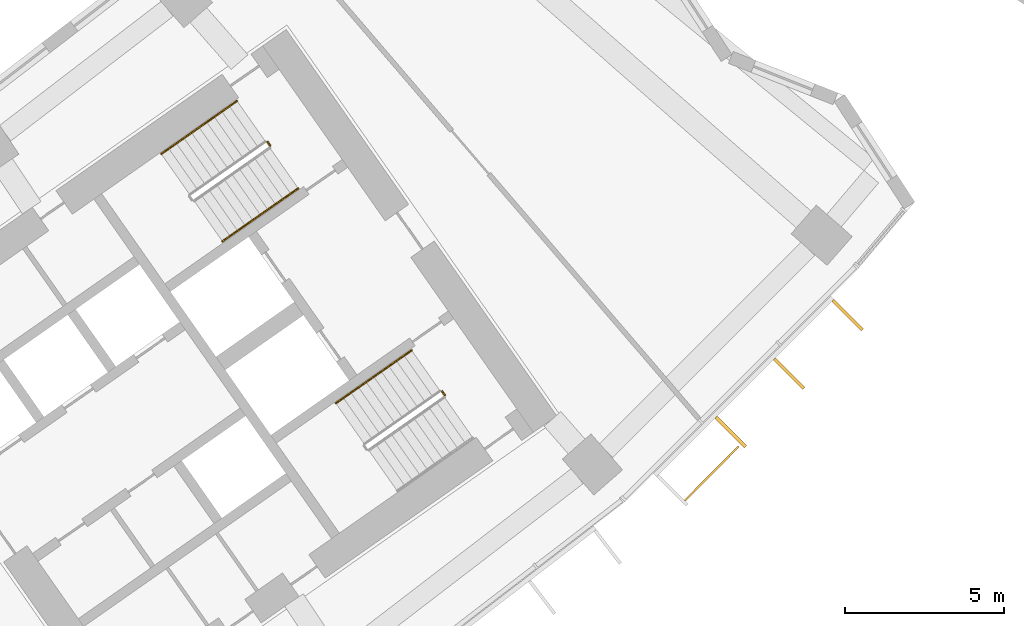
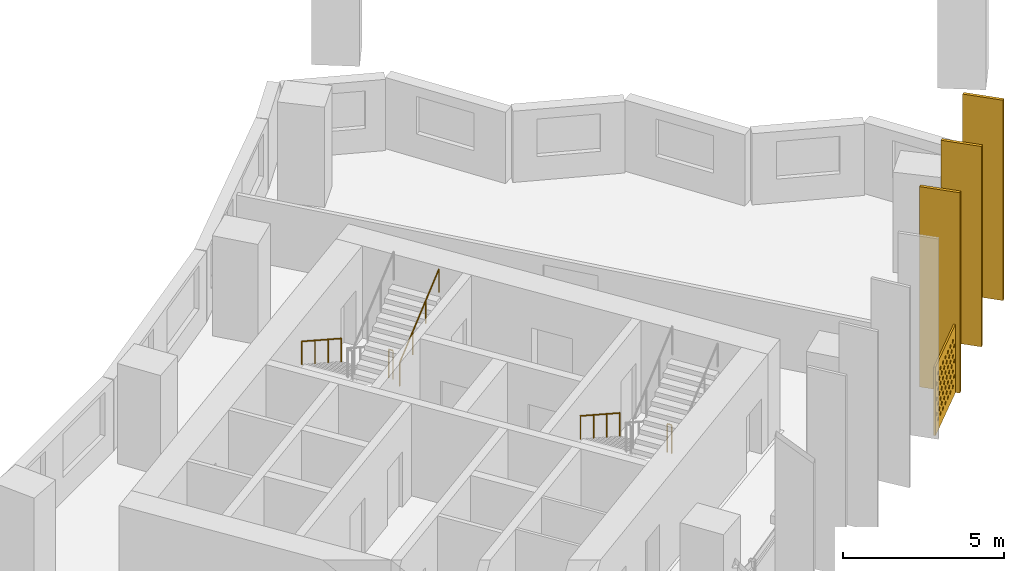
# One storey, part 30 of 30: 5 railings, 4 shading devices.
"""IFC4 building model written with IfcOpenShell, lengths in metres."""

from ifc_helpers import new_model, si_unit, direction, frame, origin, origin_2d, place, context, subcontext, project, spatial, polyline, rectangle, circle, outline, extrude, material, material_profile, profile_set, type_object, element, save


model = new_model("IFC4")

# Units and contexts
model_context = context("Model", 3, precision=1e-05, world=origin(), true_north=direction((0.0, 1.0)))
body_context = subcontext(model_context, "Body", "Model", "MODEL_VIEW")
ifc_project = project(units=[si_unit("LENGTHUNIT", "METRE"), si_unit("AREAUNIT", "SQUARE_METRE"), si_unit("VOLUMEUNIT", "CUBIC_METRE"), si_unit("PLANEANGLEUNIT", "RADIAN"), si_unit("MASSUNIT", "GRAM", prefix="KILO")], contexts=[model_context])

# Site, building, storey
site_placement = place(None, origin())
site = spatial("IfcSite", under=ifc_project, at=site_placement, CompositionType="ELEMENT")
building_placement = place(site_placement, origin())
building = spatial("IfcBuilding", under=site, at=building_placement, Name="Qamariyya Broadcast Tower", CompositionType="ELEMENT")
storey_placement = place(building_placement, frame((0.0, 0.0, 117.699951171875)))
storey = spatial("IfcBuildingStorey", under=building, at=storey_placement, Name="L26", CompositionType="ELEMENT", Elevation=117.699951171875)

# Shading device
ifc_material_1 = material(Name="Perforated glazed terracotta", Category="masonry")
ifc_material_profile_1 = material_profile(ifc_material_1, outline(polyline([(-1.199951171875, -1.300048828125), (1.199951171875, -1.300048828125), (1.199951171875, 1.300048828125), (-1.199951171875, 1.300048828125), (-1.199951171875, -1.300048828125)]), holes=[polyline([(-0.81494140625, -0.86669921875), (-0.89990234375, -0.78173828125), (-0.985107421875, -0.86669921875), (-0.89990234375, -0.95166015625), (-0.81494140625, -0.86669921875)]), polyline([(-0.514892578125, -0.86669921875), (-0.60009765625, -0.78173828125), (-0.68505859375, -0.86669921875), (-0.60009765625, -0.95166015625), (-0.514892578125, -0.86669921875)]), polyline([(-0.215087890625, -0.86669921875), (-0.300048828125, -0.78173828125), (-0.385009765625, -0.86669921875), (-0.300048828125, -0.95166015625), (-0.215087890625, -0.86669921875)]), polyline([(0.0849609375, -0.86669921875), (0.0, -0.78173828125), (-0.0849609375, -0.86669921875), (0.0, -0.95166015625), (0.0849609375, -0.86669921875)]), polyline([(0.385009765625, -0.86669921875), (0.300048828125, -0.78173828125), (0.215087890625, -0.86669921875), (0.300048828125, -0.95166015625), (0.385009765625, -0.86669921875)]), polyline([(0.68505859375, -0.86669921875), (0.60009765625, -0.78173828125), (0.514892578125, -0.86669921875), (0.60009765625, -0.95166015625), (0.68505859375, -0.86669921875)]), polyline([(0.985107421875, -0.86669921875), (0.89990234375, -0.78173828125), (0.81494140625, -0.86669921875), (0.89990234375, -0.95166015625), (0.985107421875, -0.86669921875)]), polyline([(-0.965087890625, -0.577880859375), (-1.050048828125, -0.49267578125), (-1.135009765625, -0.577880859375), (-1.050048828125, -0.662841796875), (-0.965087890625, -0.577880859375)]), polyline([(-0.6650390625, -0.577880859375), (-0.75, -0.49267578125), (-0.8349609375, -0.577880859375), (-0.75, -0.662841796875), (-0.6650390625, -0.577880859375)]), polyline([(-0.364990234375, -0.577880859375), (-0.449951171875, -0.49267578125), (-0.534912109375, -0.577880859375), (-0.449951171875, -0.662841796875), (-0.364990234375, -0.577880859375)]), polyline([(-0.06494140625, -0.577880859375), (-0.14990234375, -0.49267578125), (-0.235107421875, -0.577880859375), (-0.14990234375, -0.662841796875), (-0.06494140625, -0.577880859375)]), polyline([(0.235107421875, -0.577880859375), (0.14990234375, -0.49267578125), (0.06494140625, -0.577880859375), (0.14990234375, -0.662841796875), (0.235107421875, -0.577880859375)]), polyline([(0.534912109375, -0.577880859375), (0.449951171875, -0.49267578125), (0.364990234375, -0.577880859375), (0.449951171875, -0.662841796875), (0.534912109375, -0.577880859375)]), polyline([(0.8349609375, -0.577880859375), (0.75, -0.49267578125), (0.6650390625, -0.577880859375), (0.75, -0.662841796875), (0.8349609375, -0.577880859375)]), polyline([(1.135009765625, -0.577880859375), (1.050048828125, -0.49267578125), (0.965087890625, -0.577880859375), (1.050048828125, -0.662841796875), (1.135009765625, -0.577880859375)]), polyline([(-0.81494140625, -0.288818359375), (-0.89990234375, -0.203857421875), (-0.985107421875, -0.288818359375), (-0.89990234375, -0.373779296875), (-0.81494140625, -0.288818359375)]), polyline([(-0.514892578125, -0.288818359375), (-0.60009765625, -0.203857421875), (-0.68505859375, -0.288818359375), (-0.60009765625, -0.373779296875), (-0.514892578125, -0.288818359375)]), polyline([(-0.215087890625, -0.288818359375), (-0.300048828125, -0.203857421875), (-0.385009765625, -0.288818359375), (-0.300048828125, -0.373779296875), (-0.215087890625, -0.288818359375)]), polyline([(0.0849609375, -0.288818359375), (0.0, -0.203857421875), (-0.0849609375, -0.288818359375), (0.0, -0.373779296875), (0.0849609375, -0.288818359375)]), polyline([(0.385009765625, -0.288818359375), (0.300048828125, -0.203857421875), (0.215087890625, -0.288818359375), (0.300048828125, -0.373779296875), (0.385009765625, -0.288818359375)]), polyline([(0.68505859375, -0.288818359375), (0.60009765625, -0.203857421875), (0.514892578125, -0.288818359375), (0.60009765625, -0.373779296875), (0.68505859375, -0.288818359375)]), polyline([(0.985107421875, -0.288818359375), (0.89990234375, -0.203857421875), (0.81494140625, -0.288818359375), (0.89990234375, -0.373779296875), (0.985107421875, -0.288818359375)]), polyline([(-0.965087890625, 0.0), (-1.050048828125, 0.0849609375), (-1.135009765625, 0.0), (-1.050048828125, -0.0849609375), (-0.965087890625, 0.0)]), polyline([(-0.6650390625, 0.0), (-0.75, 0.0849609375), (-0.8349609375, 0.0), (-0.75, -0.0849609375), (-0.6650390625, 0.0)]), polyline([(-0.364990234375, 0.0), (-0.449951171875, 0.0849609375), (-0.534912109375, 0.0), (-0.449951171875, -0.0849609375), (-0.364990234375, 0.0)]), polyline([(-0.06494140625, 0.0), (-0.14990234375, 0.0849609375), (-0.235107421875, 0.0), (-0.14990234375, -0.0849609375), (-0.06494140625, 0.0)]), polyline([(0.235107421875, 0.0), (0.14990234375, 0.0849609375), (0.06494140625, 0.0), (0.14990234375, -0.0849609375), (0.235107421875, 0.0)]), polyline([(0.534912109375, 0.0), (0.449951171875, 0.0849609375), (0.364990234375, 0.0), (0.449951171875, -0.0849609375), (0.534912109375, 0.0)]), polyline([(0.8349609375, 0.0), (0.75, 0.0849609375), (0.6650390625, 0.0), (0.75, -0.0849609375), (0.8349609375, 0.0)]), polyline([(1.135009765625, 0.0), (1.050048828125, 0.0849609375), (0.965087890625, 0.0), (1.050048828125, -0.0849609375), (1.135009765625, 0.0)]), polyline([(-0.81494140625, 0.288818359375), (-0.89990234375, 0.373779296875), (-0.985107421875, 0.288818359375), (-0.89990234375, 0.203857421875), (-0.81494140625, 0.288818359375)]), polyline([(-0.514892578125, 0.288818359375), (-0.60009765625, 0.373779296875), (-0.68505859375, 0.288818359375), (-0.60009765625, 0.203857421875), (-0.514892578125, 0.288818359375)]), polyline([(-0.215087890625, 0.288818359375), (-0.300048828125, 0.373779296875), (-0.385009765625, 0.288818359375), (-0.300048828125, 0.203857421875), (-0.215087890625, 0.288818359375)]), polyline([(0.0849609375, 0.288818359375), (0.0, 0.373779296875), (-0.0849609375, 0.288818359375), (0.0, 0.203857421875), (0.0849609375, 0.288818359375)]), polyline([(0.385009765625, 0.288818359375), (0.300048828125, 0.373779296875), (0.215087890625, 0.288818359375), (0.300048828125, 0.203857421875), (0.385009765625, 0.288818359375)]), polyline([(0.68505859375, 0.288818359375), (0.60009765625, 0.373779296875), (0.514892578125, 0.288818359375), (0.60009765625, 0.203857421875), (0.68505859375, 0.288818359375)]), polyline([(0.985107421875, 0.288818359375), (0.89990234375, 0.373779296875), (0.81494140625, 0.288818359375), (0.89990234375, 0.203857421875), (0.985107421875, 0.288818359375)]), polyline([(-0.965087890625, 0.577880859375), (-1.050048828125, 0.662841796875), (-1.135009765625, 0.577880859375), (-1.050048828125, 0.49267578125), (-0.965087890625, 0.577880859375)]), polyline([(-0.6650390625, 0.577880859375), (-0.75, 0.662841796875), (-0.8349609375, 0.577880859375), (-0.75, 0.49267578125), (-0.6650390625, 0.577880859375)]), polyline([(-0.364990234375, 0.577880859375), (-0.449951171875, 0.662841796875), (-0.534912109375, 0.577880859375), (-0.449951171875, 0.49267578125), (-0.364990234375, 0.577880859375)]), polyline([(-0.06494140625, 0.577880859375), (-0.14990234375, 0.662841796875), (-0.235107421875, 0.577880859375), (-0.14990234375, 0.49267578125), (-0.06494140625, 0.577880859375)]), polyline([(0.235107421875, 0.577880859375), (0.14990234375, 0.662841796875), (0.06494140625, 0.577880859375), (0.14990234375, 0.49267578125), (0.235107421875, 0.577880859375)]), polyline([(0.534912109375, 0.577880859375), (0.449951171875, 0.662841796875), (0.364990234375, 0.577880859375), (0.449951171875, 0.49267578125), (0.534912109375, 0.577880859375)]), polyline([(0.8349609375, 0.577880859375), (0.75, 0.662841796875), (0.6650390625, 0.577880859375), (0.75, 0.49267578125), (0.8349609375, 0.577880859375)]), polyline([(1.135009765625, 0.577880859375), (1.050048828125, 0.662841796875), (0.965087890625, 0.577880859375), (1.050048828125, 0.49267578125), (1.135009765625, 0.577880859375)]), polyline([(-0.81494140625, 0.86669921875), (-0.89990234375, 0.95166015625), (-0.985107421875, 0.86669921875), (-0.89990234375, 0.78173828125), (-0.81494140625, 0.86669921875)]), polyline([(-0.514892578125, 0.86669921875), (-0.60009765625, 0.95166015625), (-0.68505859375, 0.86669921875), (-0.60009765625, 0.78173828125), (-0.514892578125, 0.86669921875)]), polyline([(-0.215087890625, 0.86669921875), (-0.300048828125, 0.95166015625), (-0.385009765625, 0.86669921875), (-0.300048828125, 0.78173828125), (-0.215087890625, 0.86669921875)]), polyline([(0.0849609375, 0.86669921875), (0.0, 0.95166015625), (-0.0849609375, 0.86669921875), (0.0, 0.78173828125), (0.0849609375, 0.86669921875)]), polyline([(0.385009765625, 0.86669921875), (0.300048828125, 0.95166015625), (0.215087890625, 0.86669921875), (0.300048828125, 0.78173828125), (0.385009765625, 0.86669921875)]), polyline([(0.68505859375, 0.86669921875), (0.60009765625, 0.95166015625), (0.514892578125, 0.86669921875), (0.60009765625, 0.78173828125), (0.68505859375, 0.86669921875)]), polyline([(0.985107421875, 0.86669921875), (0.89990234375, 0.95166015625), (0.81494140625, 0.86669921875), (0.89990234375, 0.78173828125), (0.985107421875, 0.86669921875)])]))
ifc_profile_set_1 = profile_set([ifc_material_profile_1], Name="Perforated glazed terracotta")
shading_device_type_1 = type_object("IfcShadingDeviceType", Name="Perforated terracotta screen 2400 x 2600", PredefinedType="USERDEFINED", material=ifc_profile_set_1)
shading_device_placement = place(storey_placement, frame((54.98486328125, -58.71826171875, 1.35009765625), z_axis=(0.709141608176, -0.705066081692, 0.0), x_axis=(0.705066081692, 0.709141608176, 0.0)))
element("IfcShadingDevice", 1, at=shading_device_placement, inside=storey, type_object=shading_device_type_1, Name="e-scr-L26-15-0", ObjectType="SCREEN", PredefinedType="USERDEFINED", context=body_context, shape_type="SweptSolid", body=[
    extrude(outline(polyline([(-1.199951171875, -1.300048828125), (1.199951171875, -1.300048828125), (1.199951171875, 1.300048828125), (-1.199951171875, 1.300048828125), (-1.199951171875, -1.300048828125)]), holes=[polyline([(-0.81494140625, -0.86669921875), (-0.89990234375, -0.78173828125), (-0.985107421875, -0.86669921875), (-0.89990234375, -0.95166015625), (-0.81494140625, -0.86669921875)]), polyline([(-0.514892578125, -0.86669921875), (-0.60009765625, -0.78173828125), (-0.68505859375, -0.86669921875), (-0.60009765625, -0.95166015625), (-0.514892578125, -0.86669921875)]), polyline([(-0.215087890625, -0.86669921875), (-0.300048828125, -0.78173828125), (-0.385009765625, -0.86669921875), (-0.300048828125, -0.95166015625), (-0.215087890625, -0.86669921875)]), polyline([(0.0849609375, -0.86669921875), (0.0, -0.78173828125), (-0.0849609375, -0.86669921875), (0.0, -0.95166015625), (0.0849609375, -0.86669921875)]), polyline([(0.385009765625, -0.86669921875), (0.300048828125, -0.78173828125), (0.215087890625, -0.86669921875), (0.300048828125, -0.95166015625), (0.385009765625, -0.86669921875)]), polyline([(0.68505859375, -0.86669921875), (0.60009765625, -0.78173828125), (0.514892578125, -0.86669921875), (0.60009765625, -0.95166015625), (0.68505859375, -0.86669921875)]), polyline([(0.985107421875, -0.86669921875), (0.89990234375, -0.78173828125), (0.81494140625, -0.86669921875), (0.89990234375, -0.95166015625), (0.985107421875, -0.86669921875)]), polyline([(-0.965087890625, -0.577880859375), (-1.050048828125, -0.49267578125), (-1.135009765625, -0.577880859375), (-1.050048828125, -0.662841796875), (-0.965087890625, -0.577880859375)]), polyline([(-0.6650390625, -0.577880859375), (-0.75, -0.49267578125), (-0.8349609375, -0.577880859375), (-0.75, -0.662841796875), (-0.6650390625, -0.577880859375)]), polyline([(-0.364990234375, -0.577880859375), (-0.449951171875, -0.49267578125), (-0.534912109375, -0.577880859375), (-0.449951171875, -0.662841796875), (-0.364990234375, -0.577880859375)]), polyline([(-0.06494140625, -0.577880859375), (-0.14990234375, -0.49267578125), (-0.235107421875, -0.577880859375), (-0.14990234375, -0.662841796875), (-0.06494140625, -0.577880859375)]), polyline([(0.235107421875, -0.577880859375), (0.14990234375, -0.49267578125), (0.06494140625, -0.577880859375), (0.14990234375, -0.662841796875), (0.235107421875, -0.577880859375)]), polyline([(0.534912109375, -0.577880859375), (0.449951171875, -0.49267578125), (0.364990234375, -0.577880859375), (0.449951171875, -0.662841796875), (0.534912109375, -0.577880859375)]), polyline([(0.8349609375, -0.577880859375), (0.75, -0.49267578125), (0.6650390625, -0.577880859375), (0.75, -0.662841796875), (0.8349609375, -0.577880859375)]), polyline([(1.135009765625, -0.577880859375), (1.050048828125, -0.49267578125), (0.965087890625, -0.577880859375), (1.050048828125, -0.662841796875), (1.135009765625, -0.577880859375)]), polyline([(-0.81494140625, -0.288818359375), (-0.89990234375, -0.203857421875), (-0.985107421875, -0.288818359375), (-0.89990234375, -0.373779296875), (-0.81494140625, -0.288818359375)]), polyline([(-0.514892578125, -0.288818359375), (-0.60009765625, -0.203857421875), (-0.68505859375, -0.288818359375), (-0.60009765625, -0.373779296875), (-0.514892578125, -0.288818359375)]), polyline([(-0.215087890625, -0.288818359375), (-0.300048828125, -0.203857421875), (-0.385009765625, -0.288818359375), (-0.300048828125, -0.373779296875), (-0.215087890625, -0.288818359375)]), polyline([(0.0849609375, -0.288818359375), (0.0, -0.203857421875), (-0.0849609375, -0.288818359375), (0.0, -0.373779296875), (0.0849609375, -0.288818359375)]), polyline([(0.385009765625, -0.288818359375), (0.300048828125, -0.203857421875), (0.215087890625, -0.288818359375), (0.300048828125, -0.373779296875), (0.385009765625, -0.288818359375)]), polyline([(0.68505859375, -0.288818359375), (0.60009765625, -0.203857421875), (0.514892578125, -0.288818359375), (0.60009765625, -0.373779296875), (0.68505859375, -0.288818359375)]), polyline([(0.985107421875, -0.288818359375), (0.89990234375, -0.203857421875), (0.81494140625, -0.288818359375), (0.89990234375, -0.373779296875), (0.985107421875, -0.288818359375)]), polyline([(-0.965087890625, 0.0), (-1.050048828125, 0.0849609375), (-1.135009765625, 0.0), (-1.050048828125, -0.0849609375), (-0.965087890625, 0.0)]), polyline([(-0.6650390625, 0.0), (-0.75, 0.0849609375), (-0.8349609375, 0.0), (-0.75, -0.0849609375), (-0.6650390625, 0.0)]), polyline([(-0.364990234375, 0.0), (-0.449951171875, 0.0849609375), (-0.534912109375, 0.0), (-0.449951171875, -0.0849609375), (-0.364990234375, 0.0)]), polyline([(-0.06494140625, 0.0), (-0.14990234375, 0.0849609375), (-0.235107421875, 0.0), (-0.14990234375, -0.0849609375), (-0.06494140625, 0.0)]), polyline([(0.235107421875, 0.0), (0.14990234375, 0.0849609375), (0.06494140625, 0.0), (0.14990234375, -0.0849609375), (0.235107421875, 0.0)]), polyline([(0.534912109375, 0.0), (0.449951171875, 0.0849609375), (0.364990234375, 0.0), (0.449951171875, -0.0849609375), (0.534912109375, 0.0)]), polyline([(0.8349609375, 0.0), (0.75, 0.0849609375), (0.6650390625, 0.0), (0.75, -0.0849609375), (0.8349609375, 0.0)]), polyline([(1.135009765625, 0.0), (1.050048828125, 0.0849609375), (0.965087890625, 0.0), (1.050048828125, -0.0849609375), (1.135009765625, 0.0)]), polyline([(-0.81494140625, 0.288818359375), (-0.89990234375, 0.373779296875), (-0.985107421875, 0.288818359375), (-0.89990234375, 0.203857421875), (-0.81494140625, 0.288818359375)]), polyline([(-0.514892578125, 0.288818359375), (-0.60009765625, 0.373779296875), (-0.68505859375, 0.288818359375), (-0.60009765625, 0.203857421875), (-0.514892578125, 0.288818359375)]), polyline([(-0.215087890625, 0.288818359375), (-0.300048828125, 0.373779296875), (-0.385009765625, 0.288818359375), (-0.300048828125, 0.203857421875), (-0.215087890625, 0.288818359375)]), polyline([(0.0849609375, 0.288818359375), (0.0, 0.373779296875), (-0.0849609375, 0.288818359375), (0.0, 0.203857421875), (0.0849609375, 0.288818359375)]), polyline([(0.385009765625, 0.288818359375), (0.300048828125, 0.373779296875), (0.215087890625, 0.288818359375), (0.300048828125, 0.203857421875), (0.385009765625, 0.288818359375)]), polyline([(0.68505859375, 0.288818359375), (0.60009765625, 0.373779296875), (0.514892578125, 0.288818359375), (0.60009765625, 0.203857421875), (0.68505859375, 0.288818359375)]), polyline([(0.985107421875, 0.288818359375), (0.89990234375, 0.373779296875), (0.81494140625, 0.288818359375), (0.89990234375, 0.203857421875), (0.985107421875, 0.288818359375)]), polyline([(-0.965087890625, 0.577880859375), (-1.050048828125, 0.662841796875), (-1.135009765625, 0.577880859375), (-1.050048828125, 0.49267578125), (-0.965087890625, 0.577880859375)]), polyline([(-0.6650390625, 0.577880859375), (-0.75, 0.662841796875), (-0.8349609375, 0.577880859375), (-0.75, 0.49267578125), (-0.6650390625, 0.577880859375)]), polyline([(-0.364990234375, 0.577880859375), (-0.449951171875, 0.662841796875), (-0.534912109375, 0.577880859375), (-0.449951171875, 0.49267578125), (-0.364990234375, 0.577880859375)]), polyline([(-0.06494140625, 0.577880859375), (-0.14990234375, 0.662841796875), (-0.235107421875, 0.577880859375), (-0.14990234375, 0.49267578125), (-0.06494140625, 0.577880859375)]), polyline([(0.235107421875, 0.577880859375), (0.14990234375, 0.662841796875), (0.06494140625, 0.577880859375), (0.14990234375, 0.49267578125), (0.235107421875, 0.577880859375)]), polyline([(0.534912109375, 0.577880859375), (0.449951171875, 0.662841796875), (0.364990234375, 0.577880859375), (0.449951171875, 0.49267578125), (0.534912109375, 0.577880859375)]), polyline([(0.8349609375, 0.577880859375), (0.75, 0.662841796875), (0.6650390625, 0.577880859375), (0.75, 0.49267578125), (0.8349609375, 0.577880859375)]), polyline([(1.135009765625, 0.577880859375), (1.050048828125, 0.662841796875), (0.965087890625, 0.577880859375), (1.050048828125, 0.49267578125), (1.135009765625, 0.577880859375)]), polyline([(-0.81494140625, 0.86669921875), (-0.89990234375, 0.95166015625), (-0.985107421875, 0.86669921875), (-0.89990234375, 0.78173828125), (-0.81494140625, 0.86669921875)]), polyline([(-0.514892578125, 0.86669921875), (-0.60009765625, 0.95166015625), (-0.68505859375, 0.86669921875), (-0.60009765625, 0.78173828125), (-0.514892578125, 0.86669921875)]), polyline([(-0.215087890625, 0.86669921875), (-0.300048828125, 0.95166015625), (-0.385009765625, 0.86669921875), (-0.300048828125, 0.78173828125), (-0.215087890625, 0.86669921875)]), polyline([(0.0849609375, 0.86669921875), (0.0, 0.95166015625), (-0.0849609375, 0.86669921875), (0.0, 0.78173828125), (0.0849609375, 0.86669921875)]), polyline([(0.385009765625, 0.86669921875), (0.300048828125, 0.95166015625), (0.215087890625, 0.86669921875), (0.300048828125, 0.78173828125), (0.385009765625, 0.86669921875)]), polyline([(0.68505859375, 0.86669921875), (0.60009765625, 0.95166015625), (0.514892578125, 0.86669921875), (0.60009765625, 0.78173828125), (0.68505859375, 0.86669921875)]), polyline([(0.985107421875, 0.86669921875), (0.89990234375, 0.95166015625), (0.81494140625, 0.86669921875), (0.89990234375, 0.78173828125), (0.985107421875, 0.86669921875)])]), origin(), (0.0, 0.0, 1.0), 0.059814453125),
])

# Railings
ifc_material_2 = material(Name="Painted steel", Category="steel")
railing_type_1 = type_object("IfcRailingType", Name="Stair guard", PredefinedType="GUARDRAIL", material=ifc_material_2)
railing_1_placement = place(storey_placement, frame((41.072998046875, -48.332275390625, 0.0)))
element("IfcRailing", 2, at=railing_1_placement, inside=storey, type_object=railing_type_1, Name="L26 ST-E2 stair guard 3", PredefinedType="GUARDRAIL", context=body_context, shape_type="SweptSolid", body=[
    extrude(circle(Radius=0.02392578125, at=origin_2d()), frame((0.0, 0.0, 1.076171875), z_axis=(0.572588637393, -0.819842821722, 0.0), x_axis=(0.819842821722, 0.572588637393, 0.0)), (0.0, 0.0, 1.0), 0.150146484375),
    extrude(circle(Radius=0.02099609375, at=origin_2d()), origin(), (0.0, 0.0, 1.0), 1.052001953125),
    extrude(circle(Radius=0.02099609375, at=origin_2d()), frame((0.0859375, -0.123046875, 0.0)), (0.0, 0.0, 1.0), 1.052001953125),
])
railing_2_placement = place(storey_placement, frame((46.550537109375, -56.1552734375, 0.0)))
element("IfcRailing", 3, at=railing_2_placement, inside=storey, type_object=railing_type_1, Name="L26 ST-E1 stair guard 3", PredefinedType="GUARDRAIL", context=body_context, shape_type="SweptSolid", body=[
    extrude(circle(Radius=0.02392578125, at=origin_2d()), frame((0.0, 0.0, 1.076171875), z_axis=(0.574444878118, -0.818543268254, 0.0), x_axis=(0.818543268254, 0.574444878118, 0.0)), (0.0, 0.0, 1.0), 0.150146484375),
    extrude(circle(Radius=0.02099609375, at=origin_2d()), origin(), (0.0, 0.0, 1.0), 1.052001953125),
    extrude(circle(Radius=0.02099609375, at=origin_2d()), frame((0.086181640625, -0.122802734375, 0.0)), (0.0, 0.0, 1.0), 1.052001953125),
])
ifc_material_3 = material(Name="Stainless steel", Category="steel")
railing_type_2 = type_object("IfcRailingType", Name="Stair handrail", PredefinedType="HANDRAIL", material=ifc_material_3)
railing_3_placement = place(storey_placement, frame((40.1142578125, -47.05029296875, 0.1728515625)))
element("IfcRailing", 4, at=railing_3_placement, inside=storey, type_object=railing_type_2, Name="L26 ST-E2 stair handrail 1", PredefinedType="HANDRAIL", context=body_context, shape_type="SweptSolid", body=[
    extrude(circle(Radius=0.02392578125, at=origin_2d()), frame((0.0, 0.0, 0.8759765625), z_axis=(-0.703745009021, -0.492838488332, 0.511715923826), x_axis=(0.573631830683, -0.819113253969, 0.0)), (0.0, 0.0, 1.0), 3.37548828125),
    extrude(circle(Radius=0.02099609375, at=origin_2d()), origin(), (0.0, 0.0, 1.0), 0.851806640625),
    extrude(circle(Radius=0.02099609375, at=origin_2d()), frame((-0.791748046875, -0.554443359375, 0.57568359375)), (0.0, 0.0, 1.0), 0.851806640625),
    extrude(circle(Radius=0.02099609375, at=origin_2d()), frame((-1.583740234375, -1.109130859375, 1.151611328125)), (0.0, 0.0, 1.0), 0.851806640625),
    extrude(circle(Radius=0.02099609375, at=origin_2d()), frame((-2.37548828125, -1.66357421875, 1.727294921875)), (0.0, 0.0, 1.0), 0.851806640625),
])
railing_4_placement = place(storey_placement, frame((39.66015625, -51.4580078125, 2.07275390625)))
element("IfcRailing", 5, at=railing_4_placement, inside=storey, type_object=railing_type_2, Name="L26 ST-E2 stair handrail 2", PredefinedType="HANDRAIL", context=body_context, shape_type="SweptSolid", body=[
    extrude(circle(Radius=0.02392578125, at=origin_2d()), frame((0.0, 0.0, 0.8759765625), z_axis=(0.703745009021, 0.492838488332, 0.511715923826), x_axis=(-0.573631830683, 0.819113253969, 0.0)), (0.0, 0.0, 1.0), 3.37548828125),
    extrude(circle(Radius=0.02099609375, at=origin_2d()), origin(), (0.0, 0.0, 1.0), 0.851806640625),
    extrude(circle(Radius=0.02099609375, at=origin_2d()), frame((0.791748046875, 0.554443359375, 0.57568359375)), (0.0, 0.0, 1.0), 0.851806640625),
    extrude(circle(Radius=0.02099609375, at=origin_2d()), frame((1.583740234375, 1.109130859375, 1.151611328125)), (0.0, 0.0, 1.0), 0.851806640625),
    extrude(circle(Radius=0.02099609375, at=origin_2d()), frame((2.37548828125, 1.66357421875, 1.727294921875)), (0.0, 0.0, 1.0), 0.851806640625),
])
railing_5_placement = place(storey_placement, frame((45.591796875, -54.873291015625, 0.1728515625)))
element("IfcRailing", 6, at=railing_5_placement, inside=storey, type_object=railing_type_2, Name="L26 ST-E1 stair handrail 1", PredefinedType="HANDRAIL", context=body_context, shape_type="SweptSolid", body=[
    extrude(circle(Radius=0.02392578125, at=origin_2d()), frame((0.0, 0.0, 0.8759765625), z_axis=(-0.703770094002, -0.492783725636, 0.511734163933), x_axis=(0.573575343427, -0.819152809562, 0.0)), (0.0, 0.0, 1.0), 3.37548828125),
    extrude(circle(Radius=0.02099609375, at=origin_2d()), origin(), (0.0, 0.0, 1.0), 0.851806640625),
    extrude(circle(Radius=0.02099609375, at=origin_2d()), frame((-0.791748046875, -0.554443359375, 0.57568359375)), (0.0, 0.0, 1.0), 0.851806640625),
    extrude(circle(Radius=0.02099609375, at=origin_2d()), frame((-1.583740234375, -1.10888671875, 1.151611328125)), (0.0, 0.0, 1.0), 0.851806640625),
    extrude(circle(Radius=0.02099609375, at=origin_2d()), frame((-2.37548828125, -1.663330078125, 1.727294921875)), (0.0, 0.0, 1.0), 0.851806640625),
])

# Shading devices
ifc_material_4 = material(Name="Glazed terracotta", Category="masonry")
ifc_material_profile_2 = material_profile(ifc_material_4, rectangle(XDim=1.300048828125, YDim=0.10009765625, at=origin_2d()))
ifc_profile_set_2 = profile_set([ifc_material_profile_2], Name="Glazed terracotta")
shading_device_type_2 = type_object("IfcShadingDeviceType", Name="Terracotta fin 100 x 1300", PredefinedType="USERDEFINED", material=ifc_profile_set_2)
for number, where, z_axis, x_axis, name in (
    (7, (55.602294921875, -57.43603515625, 0.0), (0.0, 0.0, 1.0), (0.707106781187, -0.707106781187, 0.0), "e-fin-L26-15-1"),
    (8, (57.43603515625, -55.602294921875, 0.0), (0.0, 0.0, 1.0), (0.707106781187, -0.707106781187, 0.0), "e-fin-L26-15-2"),
    (9, (59.269775390625, -53.7685546875, 0.0), (0.0, 0.0, 1.0), (0.707106781187, -0.707106781187, 0.0), "e-fin-L26-15-3"),
):
    element("IfcShadingDevice", number, at=place(storey_placement, frame(where, z_axis=z_axis, x_axis=x_axis)), inside=storey, type_object=shading_device_type_2, Name=name, ObjectType="FIN", PredefinedType="USERDEFINED", context=body_context, shape_type="SweptSolid", body=[
        extrude(rectangle(XDim=1.300048828125, YDim=0.10009765625, at=origin_2d()), origin(), (0.0, 0.0, 1.0), 7.60009765625),
    ])

save(model, "model.ifc")
